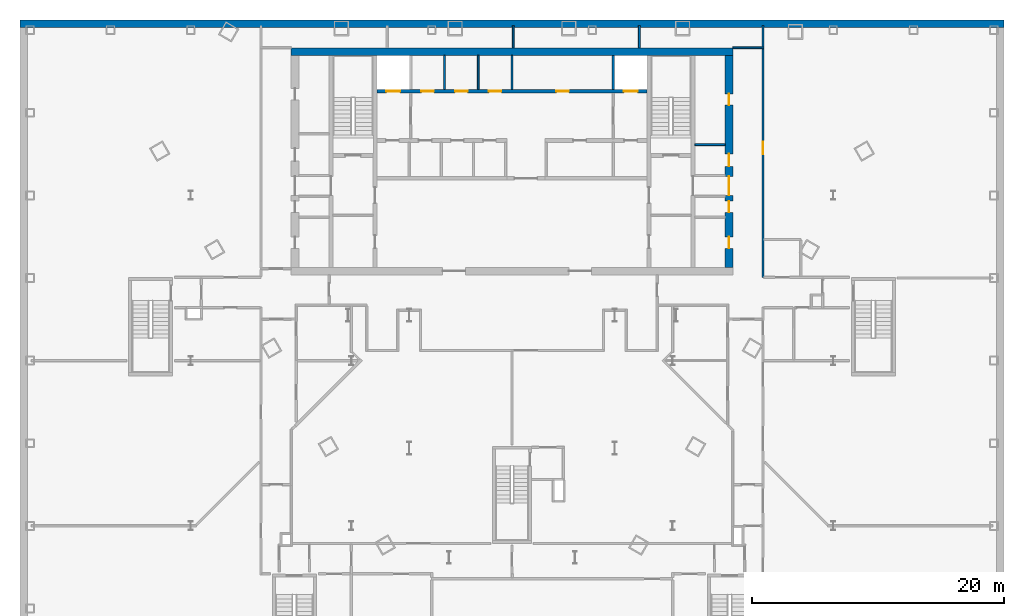
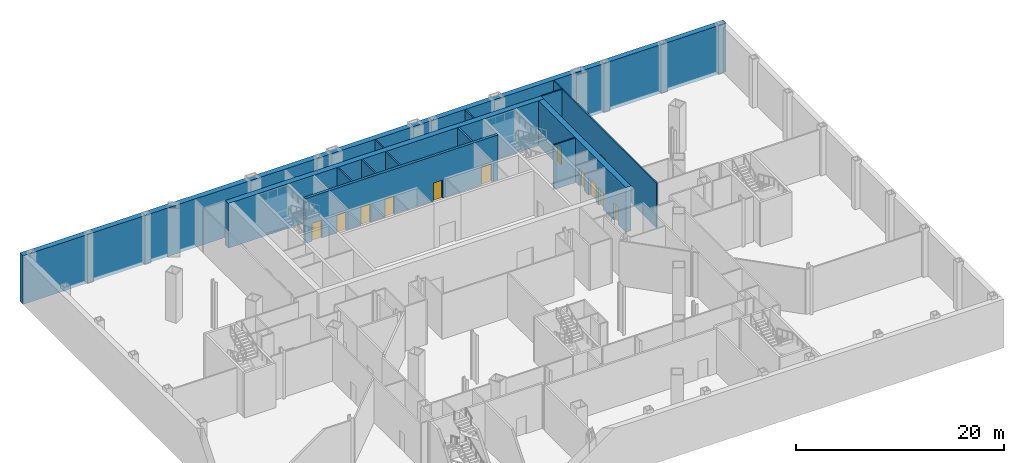
# One storey, part 10 of 17: 14 walls, 12 doors, 12 openings.
"""IFC4 building model written with IfcOpenShell, lengths in metres."""

import ifcopenshell
import ifcopenshell.guid

model = None  # the IFC model being written
_history = None  # IfcOwnerHistory: only IFC2X3 demands one
_inside = {}  # id of a spatial element -> (the spatial element, [elements in it])
_under = {}  # id of a project, library or spatial element -> (it, [spatial elements below it])
_declared = {}  # id of a project -> (the project, [libraries it declares])
_typed = {}  # id of a type object -> (the type object, [elements of that type])
_made_of = {}  # id of a material, layer set ... -> (it, [elements and type objects made of it])


def new_model(schema):
    """Start an empty IFC model of exactly this schema.

    Asked for "IFC4X3", IfcOpenShell would pick the latest addendum, in which some entities
    have other attributes; the version numbers below select the first issue.
    IFC2X3 requires an IfcOwnerHistory on every rooted entity: one is made here for all.
    """
    global model, _history
    if schema == "IFC4X3":
        model = ifcopenshell.file(schema_version=(4, 3, 0, 0))
    else:
        model = ifcopenshell.file(schema=schema)
    _inside.clear()
    _under.clear()
    _declared.clear()
    _typed.clear()
    _made_of.clear()
    _history = None
    if model.schema == "IFC2X3":
        org = make("IfcOrganization", Name="unknown")
        user = make(
            "IfcPersonAndOrganization",
            ThePerson=make("IfcPerson", FamilyName="unknown"),
            TheOrganization=org,
        )
        app = make(
            "IfcApplication",
            ApplicationDeveloper=org,
            Version="unknown",
            ApplicationFullName="unknown",
            ApplicationIdentifier="unknown",
        )
        _history = make(
            "IfcOwnerHistory",
            OwningUser=user,
            OwningApplication=app,
            ChangeAction="ADDED",
            CreationDate=0,
        )
    return model


def make(cls, **values):
    """One entity of the class cls with the attributes given. An attribute that is None is left unset."""
    return model.create_entity(
        cls, **{name: value for name, value in values.items() if value is not None}
    )


def rooted(cls, **values):
    """An entity with a GlobalId (a new one), such as an element, a storey or a relation."""
    return make(cls, GlobalId=ifcopenshell.guid.new(), OwnerHistory=_history, **values)


def si_unit(unit_type, name, prefix=None):
    """IfcSIUnit, for example si_unit("LENGTHUNIT", "METRE", prefix="MILLI")."""
    return make("IfcSIUnit", UnitType=unit_type, Prefix=prefix, Name=name)


def assignment(units):
    """IfcUnitAssignment: the units of a project."""
    return None if units is None else make("IfcUnitAssignment", Units=units)


def point(xyz):
    """IfcCartesianPoint."""
    return None if xyz is None else make("IfcCartesianPoint", Coordinates=xyz)


def direction(xyz):
    """IfcDirection."""
    return None if xyz is None else make("IfcDirection", DirectionRatios=xyz)


def frame(location, z_axis=None, x_axis=None):
    """IfcAxis2Placement3D, a coordinate frame: its origin and axes. An axis left out is left unset."""
    return make(
        "IfcAxis2Placement3D",
        Location=point(location),
        Axis=direction(z_axis),
        RefDirection=direction(x_axis),
    )


def frame_2d(location, x_axis=None):
    """IfcAxis2Placement2D, a coordinate frame in the plane: its origin and x axis."""
    return make(
        "IfcAxis2Placement2D", Location=point(location), RefDirection=direction(x_axis)
    )


def origin():
    """The frame at (0, 0, 0) with its axes left unset."""
    return frame((0.0, 0.0, 0.0))


def place(relative_to, where):
    """IfcLocalPlacement: puts the frame where relative to a parent placement (None: the world)."""
    return make(
        "IfcLocalPlacement", PlacementRelTo=relative_to, RelativePlacement=where
    )


def context(
    kind, dimensions, precision=None, world=None, true_north=None, identifier=None
):
    """IfcGeometricRepresentationContext, for example the 3D "Model" context."""
    return make(
        "IfcGeometricRepresentationContext",
        ContextIdentifier=identifier,
        ContextType=kind,
        CoordinateSpaceDimension=dimensions,
        Precision=precision,
        WorldCoordinateSystem=world,
        TrueNorth=true_north,
    )


def subcontext(parent, identifier, kind, view, scale=None):
    """IfcGeometricRepresentationSubContext, for example "Body" below "Model"."""
    return make(
        "IfcGeometricRepresentationSubContext",
        ContextIdentifier=identifier,
        ContextType=kind,
        ParentContext=parent,
        TargetScale=scale,
        TargetView=view,
    )


def project(units=None, contexts=None):
    """IfcProject with its units and contexts."""
    return rooted(
        "IfcProject",
        Name="project",
        RepresentationContexts=contexts,
        UnitsInContext=assignment(units),
    )


def spatial(cls, under=None, at=None, **own):
    """A site, building, storey or space (cls), placed at a placement, below another one or the project."""
    s = rooted(cls, ObjectPlacement=at, **own)
    if under is not None:
        _under.setdefault(under.id(), (under, []))[1].append(s)
    return s


def profile(cls, at=None, kind="AREA", **sizes):
    """A parametric profile (cls). Its sizes go by their IFC names, for example OverallWidth=200.0."""
    return make(cls, ProfileType=kind, Position=at, **sizes)


def rectangle(**sizes):
    """IfcRectangleProfileDef."""
    return profile("IfcRectangleProfileDef", **sizes)


def extrude(swept, where, along, depth):
    """IfcExtrudedAreaSolid: the profile swept, set in the frame where, extruded along a direction by depth."""
    return make(
        "IfcExtrudedAreaSolid",
        SweptArea=swept,
        Position=where,
        ExtrudedDirection=direction(along),
        Depth=depth,
    )


def shape(context_of_items, identifier, shape_type, items):
    """IfcShapeRepresentation: the items that make up one representation, for example the "Body"."""
    return make(
        "IfcShapeRepresentation",
        ContextOfItems=context_of_items,
        RepresentationIdentifier=identifier,
        RepresentationType=shape_type,
        Items=items,
    )


def material(Name=None, Category=None):
    """IfcMaterial."""
    return make("IfcMaterial", Name=Name, Category=Category)


def layer(
    of_material, thickness, ventilated=None, Name=None, Category=None, Priority=None
):
    """IfcMaterialLayer: one layer of a wall or slab, of a material (None: an air gap)."""
    return make(
        "IfcMaterialLayer",
        Material=of_material,
        LayerThickness=thickness,
        IsVentilated=ventilated,
        Name=Name,
        Category=Category,
        Priority=Priority,
    )


def layer_set(layers, Name=None):
    """IfcMaterialLayerSet."""
    return make("IfcMaterialLayerSet", MaterialLayers=layers, LayerSetName=Name)


def made_of(thing, what):
    """Note that an element or type object is made of a material, layer set ...; save() writes the relation."""
    if what is not None:
        _made_of.setdefault(what.id(), (what, []))[1].append(thing)
    return thing


def type_object(cls, material=None, **own):
    """A type object (cls), such as IfcWallType, which elements share."""
    return made_of(rooted(cls, **own), material)


def element(
    cls,
    number,
    at=None,
    inside=None,
    cuts=None,
    type_object=None,
    material=None,
    context=None,
    identifier="Body",
    shape_type=None,
    held_by="IfcProductDefinitionShape",
    body=None,
    shapes=None,
    **own,
):
    """One element of the class cls, such as IfcWall. Its Tag is "e" and its number.

    at: its placement. inside: the storey or other place that contains it. cuts: it is an
    opening in that element (IfcRelVoidsElement). A single representation is given by context,
    identifier, shape_type and body (its items); several are given by shapes. held_by: the class
    of the entity that holds the representations. save() writes the other relations.
    """
    e = rooted(cls, Tag="e%d" % number, ObjectPlacement=at, **own)
    if body is not None:
        shapes = [shape(context, identifier, shape_type, body)]
    if shapes is not None:
        e.Representation = make(held_by, Representations=shapes)
    if inside is not None:
        _inside.setdefault(inside.id(), (inside, []))[1].append(e)
    if cuts is not None:
        rooted(
            "IfcRelVoidsElement", RelatingBuildingElement=cuts, RelatedOpeningElement=e
        )
    if type_object is not None:
        _typed.setdefault(type_object.id(), (type_object, []))[1].append(e)
    return made_of(e, material)


def fill(opening, filler):
    """IfcRelFillsElement: the door or window that sits in an opening."""
    return rooted(
        "IfcRelFillsElement",
        RelatingOpeningElement=opening,
        RelatedBuildingElement=filler,
    )


def aggregate(whole, parts):
    """IfcRelAggregates: a whole, such as a stair, and the parts it consists of."""
    return rooted("IfcRelAggregates", RelatingObject=whole, RelatedObjects=parts)


def save(model, path):
    """Write the relations noted so far, then the file.

    IfcRelAggregates (storeys below a building ...), IfcRelContainedInSpatialStructure (elements
    in a storey), IfcRelDefinesByType, IfcRelAssociatesMaterial and IfcRelDeclares: one each for
    every whole, place, type object, material and project.
    """
    for whole, parts in _under.values():
        aggregate(whole, parts)
    for where, things in _inside.values():
        rooted(
            "IfcRelContainedInSpatialStructure",
            RelatedElements=things,
            RelatingStructure=where,
        )
    for kind, things in _typed.values():
        rooted("IfcRelDefinesByType", RelatedObjects=things, RelatingType=kind)
    for what, things in _made_of.values():
        rooted("IfcRelAssociatesMaterial", RelatedObjects=things, RelatingMaterial=what)
    for by, libraries in _declared.values():
        rooted("IfcRelDeclares", RelatingContext=by, RelatedDefinitions=libraries)
    model.write(path)


model = new_model("IFC4")

# Units and contexts
model_context = context("Model", 3, precision=1e-05, world=origin(), true_north=direction((0.0, 1.0)))
body_context = subcontext(model_context, "Body", "Model", "MODEL_VIEW")
ifc_project = project(units=[si_unit("LENGTHUNIT", "METRE"), si_unit("AREAUNIT", "SQUARE_METRE"), si_unit("VOLUMEUNIT", "CUBIC_METRE"), si_unit("PLANEANGLEUNIT", "RADIAN"), si_unit("MASSUNIT", "GRAM", prefix="KILO")], contexts=[model_context])

# Site, building, storey
site_placement = place(None, origin())
site = spatial("IfcSite", under=ifc_project, at=site_placement, CompositionType="ELEMENT")
building_placement = place(site_placement, origin())
building = spatial("IfcBuilding", under=site, at=building_placement, Name="Njiva Tower", CompositionType="ELEMENT")
storey_placement = place(building_placement, frame((0.0, 0.0, -11.4)))
storey = spatial("IfcBuildingStorey", under=building, at=storey_placement, Name="B2", CompositionType="ELEMENT", Elevation=-11.4)

# Walls
ifc_material_1 = material(Name="Blockwork", Category="masonry")
ifc_layer_1 = layer(ifc_material_1, 0.15)
ifc_layer_set_1 = layer_set([ifc_layer_1], Name="Blockwork")
wall_type_1 = type_object("IfcWallType", Name="WT1 Compartment partition 150", PredefinedType="PARTITIONING", material=ifc_layer_set_1)
for number, where, z_axis, x_axis, name in (
    (1, (-5.35, 14.7, 0.0), (0.0, 0.0, 1.0), (0.0, 1.0, 0.0), "Partition CN2"),
    (2, (-2.675, 14.7, 0.0), (0.0, 0.0, 1.0), (0.0, 1.0, 0.0), "Partition CN3"),
    (3, (0.0, 14.7, 0.0), (0.0, 0.0, 1.0), (0.0, 1.0, 0.0), "Partition CN4"),
):
    element("IfcWall", number, at=place(storey_placement, frame(where, z_axis=z_axis, x_axis=x_axis)), inside=storey, type_object=wall_type_1, Name=name, PredefinedType="PARTITIONING", context=body_context, shape_type="SweptSolid", body=[
        extrude(rectangle(XDim=2.7, YDim=0.15, at=frame_2d((1.35, 0.0))), origin(), (0.0, 0.0, 1.0), 5.25),
    ])
wall_1_placement = place(storey_placement, frame((14.5, 10.3166, 0.0), z_axis=(0.0, 0.0, 1.0), x_axis=(1.0, 0.0, 0.0)))
element("IfcWall", 4, at=wall_1_placement, inside=storey, type_object=wall_type_1, Name="Partition strip E10", PredefinedType="PARTITIONING", context=body_context, shape_type="SweptSolid", body=[
    extrude(rectangle(XDim=2.4, YDim=0.15, at=frame_2d((1.2, 0.0))), origin(), (0.0, 0.0, 1.0), 5.25),
])
ifc_material_2 = material(Name="Concrete C60/75", Category="concrete")
ifc_layer_2 = layer(ifc_material_2, 0.6)
ifc_layer_set_2 = layer_set([ifc_layer_2], Name="Concrete C60/75")
wall_type_2 = type_object("IfcWallType", Name="WT15 Core wall 600", PredefinedType="SHEAR", material=ifc_layer_set_2)
wall_2_placement = place(storey_placement, frame((-17.5, 17.7, 0.0), z_axis=(0.0, 0.0, 1.0), x_axis=(1.0, 0.0, 0.0)))
element("IfcWall", 5, at=wall_2_placement, inside=storey, type_object=wall_type_2, Name="Core wall north", PredefinedType="SHEAR", context=body_context, shape_type="SweptSolid", body=[
    extrude(rectangle(XDim=35.0, YDim=0.6, at=frame_2d((17.5, 0.0))), origin(), (0.0, 0.0, 1.0), 5.25),
])

# Wall, openings, doors
wall_3_placement = place(storey_placement, frame((17.2, 0.6, 0.0), z_axis=(0.0, 0.0, 1.0), x_axis=(0.0, 1.0, 0.0)))
wall_3 = element("IfcWall", 6, at=wall_3_placement, inside=storey, type_object=wall_type_2, Name="Core wall east", PredefinedType="SHEAR", context=body_context, shape_type="SweptSolid", body=[
    extrude(rectangle(XDim=16.8, YDim=0.6, at=frame_2d((8.4, 0.0))), origin(), (0.0, 0.0, 1.0), 5.25),
])
opening_1_placement = place(wall_3_placement, frame((5.7, 0.0, 0.0)))
opening_1 = element("IfcOpeningElement", 7, at=opening_1_placement, cuts=wall_3, Name="Opening B2-D928", PredefinedType="OPENING", context=body_context, shape_type="SweptSolid", body=[
    extrude(rectangle(XDim=1.5, YDim=2.1, at=frame_2d((0.75, 1.05))), frame((0.0, 0.31, 0.0), z_axis=(0.0, -1.0, 0.0), x_axis=(1.0, 0.0, 0.0)), (0.0, 0.0, 1.0), 0.62),
])
opening_2_placement = place(wall_3_placement, frame((1.5, 0.0, 0.0)))
opening_2 = element("IfcOpeningElement", 8, at=opening_2_placement, cuts=wall_3, Name="Opening B2-D929", PredefinedType="OPENING", context=body_context, shape_type="SweptSolid", body=[
    extrude(rectangle(XDim=0.9, YDim=2.1, at=frame_2d((0.45, 1.05))), frame((0.0, 0.31, 0.0), z_axis=(0.0, -1.0, 0.0), x_axis=(1.0, 0.0, 0.0)), (0.0, 0.0, 1.0), 0.62),
])
opening_3_placement = place(wall_3_placement, frame((4.35, 0.0, 0.0)))
opening_3 = element("IfcOpeningElement", 9, at=opening_3_placement, cuts=wall_3, Name="Opening B2-D930", PredefinedType="OPENING", context=body_context, shape_type="SweptSolid", body=[
    extrude(rectangle(XDim=0.9, YDim=2.1, at=frame_2d((0.45, 1.05))), frame((0.0, 0.31, 0.0), z_axis=(0.0, -1.0, 0.0), x_axis=(1.0, 0.0, 0.0)), (0.0, 0.0, 1.0), 0.62),
])
opening_4_placement = place(wall_3_placement, frame((7.9958, 0.0, 0.0)))
opening_4 = element("IfcOpeningElement", 10, at=opening_4_placement, cuts=wall_3, Name="Opening B2-D931", PredefinedType="OPENING", context=body_context, shape_type="SweptSolid", body=[
    extrude(rectangle(XDim=1.0, YDim=2.1, at=frame_2d((0.5, 1.05))), frame((0.0, 0.31, 0.0), z_axis=(0.0, -1.0, 0.0), x_axis=(1.0, 0.0, 0.0)), (0.0, 0.0, 1.0), 0.62),
])
opening_5_placement = place(wall_3_placement, frame((12.8458, 0.0, 0.0)))
opening_5 = element("IfcOpeningElement", 11, at=opening_5_placement, cuts=wall_3, Name="Opening B2-D932", PredefinedType="OPENING", context=body_context, shape_type="SweptSolid", body=[
    extrude(rectangle(XDim=0.9, YDim=2.1, at=frame_2d((0.45, 1.05))), frame((0.0, 0.31, 0.0), z_axis=(0.0, -1.0, 0.0), x_axis=(1.0, 0.0, 0.0)), (0.0, 0.0, 1.0), 0.62),
])
ifc_material_3 = material(Name="Glazed steel fire door", Category="steel")
door_type_1 = type_object("IfcDoorType", Name="D10 Exit door double 1500x2100 glazed", OperationType="DOUBLE_DOOR_SINGLE_SWING", PredefinedType="DOOR", material=ifc_material_3)
door_1_placement = place(opening_1_placement, origin())
door_1 = element("IfcDoor", 12, at=door_1_placement, inside=storey, type_object=door_type_1, Name="Stair B corridor door", OperationType="DOUBLE_DOOR_SINGLE_SWING", OverallHeight=2.1, OverallWidth=1.5, PredefinedType="DOOR", context=body_context, shape_type="SweptSolid", body=[
    extrude(rectangle(XDim=1.5, YDim=2.1, at=frame_2d((0.75, 1.05))), frame((0.0, 0.025, 0.0), z_axis=(0.0, -1.0, 0.0), x_axis=(1.0, 0.0, 0.0)), (0.0, 0.0, 1.0), 0.05),
])
fill(opening_1, door_1)
ifc_material_4 = material(Name="Steel door, painted", Category="steel")
door_type_2 = type_object("IfcDoorType", Name="D4 Riser door 900x2100", OperationType="SINGLE_SWING_LEFT", PredefinedType="DOOR", material=ifc_material_4)
door_2_placement = place(opening_3_placement, origin())
door_2 = element("IfcDoor", 13, at=door_2_placement, inside=storey, type_object=door_type_2, Name="Riser door", OperationType="SINGLE_SWING_LEFT", OverallHeight=2.1, OverallWidth=0.9, PredefinedType="DOOR", context=body_context, shape_type="SweptSolid", body=[
    extrude(rectangle(XDim=0.9, YDim=2.1, at=frame_2d((0.45, 1.05))), frame((0.0, 0.025, 0.0), z_axis=(0.0, -1.0, 0.0), x_axis=(1.0, 0.0, 0.0)), (0.0, 0.0, 1.0), 0.05),
])
fill(opening_3, door_2)
door_type_3 = type_object("IfcDoorType", Name="D5 Steel door 1000x2100", OperationType="SINGLE_SWING_LEFT", PredefinedType="DOOR", material=ifc_material_4)
door_3_placement = place(opening_4_placement, origin())
door_3 = element("IfcDoor", 14, at=door_3_placement, inside=storey, type_object=door_type_3, Name="Telecoms room door", OperationType="SINGLE_SWING_LEFT", OverallHeight=2.1, OverallWidth=1.0, PredefinedType="DOOR", context=body_context, shape_type="SweptSolid", body=[
    extrude(rectangle(XDim=1.0, YDim=2.1, at=frame_2d((0.5, 1.05))), frame((0.0, 0.025, 0.0), z_axis=(0.0, -1.0, 0.0), x_axis=(1.0, 0.0, 0.0)), (0.0, 0.0, 1.0), 0.05),
])
fill(opening_4, door_3)
ifc_material_5 = material(Name="Steel fire door, painted", Category="steel")
door_type_4 = type_object("IfcDoorType", Name="D6 Fire-rated door 900x2100", OperationType="SINGLE_SWING_LEFT", PredefinedType="DOOR", material=ifc_material_5)
door_4_placement = place(opening_2_placement, origin())
door_4 = element("IfcDoor", 15, at=door_4_placement, inside=storey, type_object=door_type_4, Name="Reading room door", OperationType="SINGLE_SWING_RIGHT", OverallHeight=2.1, OverallWidth=0.9, PredefinedType="DOOR", context=body_context, shape_type="SweptSolid", body=[
    extrude(rectangle(XDim=0.9, YDim=2.1, at=frame_2d((0.45, 1.05))), frame((0.0, 0.025, 0.0), z_axis=(0.0, -1.0, 0.0), x_axis=(1.0, 0.0, 0.0)), (0.0, 0.0, 1.0), 0.05),
])
fill(opening_2, door_4)
door_5_placement = place(opening_5_placement, origin())
door_5 = element("IfcDoor", 16, at=door_5_placement, inside=storey, type_object=door_type_4, Name="Tenant centre door", OperationType="SINGLE_SWING_LEFT", OverallHeight=2.1, OverallWidth=0.9, PredefinedType="DOOR", context=body_context, shape_type="SweptSolid", body=[
    extrude(rectangle(XDim=0.9, YDim=2.1, at=frame_2d((0.45, 1.05))), frame((0.0, 0.025, 0.0), z_axis=(0.0, -1.0, 0.0), x_axis=(1.0, 0.0, 0.0)), (0.0, 0.0, 1.0), 0.05),
])
fill(opening_5, door_5)

# Wall, opening, door
ifc_material_6 = material(Name="Gypsum board on steel studs", Category="gypsum")
ifc_layer_3 = layer(ifc_material_6, 0.15)
ifc_layer_set_3 = layer_set([ifc_layer_3], Name="Gypsum board on steel studs")
wall_type_3 = type_object("IfcWallType", Name="WT21 Compartment wall 150", PredefinedType="PARTITIONING", material=ifc_layer_set_3)
wall_4_placement = place(storey_placement, frame((19.9, -0.209, 0.0), z_axis=(0.0, 0.0, 1.0), x_axis=(0.0, 1.0, 0.0)))
wall_4 = element("IfcWall", 17, at=wall_4_placement, inside=storey, type_object=wall_type_3, Name="Partition B2-P093", PredefinedType="PARTITIONING", context=body_context, shape_type="SweptSolid", body=[
    extrude(rectangle(XDim=18.134, YDim=0.15, at=frame_2d((9.067, 0.0))), origin(), (0.0, 0.0, 1.0), 5.25),
])
opening_6_placement = place(wall_4_placement, frame((9.773, 0.0, 0.0)))
opening_6 = element("IfcOpeningElement", 18, at=opening_6_placement, cuts=wall_4, Name="Opening B2-D035", PredefinedType="OPENING", context=body_context, shape_type="SweptSolid", body=[
    extrude(rectangle(XDim=1.0, YDim=2.1, at=frame_2d((0.5, 1.05))), frame((0.0, 0.085, 0.0), z_axis=(0.0, -1.0, 0.0), x_axis=(1.0, 0.0, 0.0)), (0.0, 0.0, 1.0), 0.17),
])
ifc_material_7 = material(Name="Steel fire door set", Category="steel")
door_type_5 = type_object("IfcDoorType", Name="D37 Fire door 1000x2100", OperationType="SINGLE_SWING_LEFT", PredefinedType="DOOR", material=ifc_material_7)
door_6_placement = place(opening_6_placement, origin())
door_6 = element("IfcDoor", 19, at=door_6_placement, inside=storey, type_object=door_type_5, Name="Door B2-D035", OperationType="SINGLE_SWING_RIGHT", OverallHeight=2.1, OverallWidth=1.0, PredefinedType="DOOR", context=body_context, shape_type="SweptSolid", body=[
    extrude(rectangle(XDim=1.0, YDim=2.1, at=frame_2d((0.5, 1.05))), frame((0.0, 0.025, 0.0), z_axis=(0.0, -1.0, 0.0), x_axis=(1.0, 0.0, 0.0)), (0.0, 0.0, 1.0), 0.05),
])
fill(opening_6, door_6)

# Walls
ifc_layer_4 = layer(ifc_material_6, 0.15)
ifc_layer_set_4 = layer_set([ifc_layer_4], Name="Gypsum board on steel studs")
wall_type_4 = type_object("IfcWallType", Name="WT24 Riser room wall 150", PredefinedType="PARTITIONING", material=ifc_layer_set_4)
for number, where, z_axis, x_axis, name in (
    (20, (0.1, 18.0, 0.0), (0.0, 0.0, 1.0), (0.0, 1.0, 0.0), "Partition B2-P060"),
    (21, (10.1, 18.0, 0.0), (0.0, 0.0, 1.0), (0.0, 1.0, 0.0), "Partition B2-P066"),
):
    element("IfcWall", number, at=place(storey_placement, frame(where, z_axis=z_axis, x_axis=x_axis)), inside=storey, type_object=wall_type_4, Name=name, PredefinedType="PARTITIONING", context=body_context, shape_type="SweptSolid", body=[
        extrude(rectangle(XDim=1.75, YDim=0.15, at=frame_2d((0.875, 0.0))), origin(), (0.0, 0.0, 1.0), 5.25),
    ])
wall_5_placement = place(storey_placement, frame((17.5, 18.0, 0.0), z_axis=(0.0, 0.0, 1.0), x_axis=(1.0, 0.0, 0.0)))
element("IfcWall", 22, at=wall_5_placement, inside=storey, type_object=wall_type_4, Name="Partition B2-P083", PredefinedType="PARTITIONING", context=body_context, shape_type="SweptSolid", body=[
    extrude(rectangle(XDim=2.475, YDim=0.15, at=frame_2d((1.2375, 0.0))), origin(), (0.0, 0.0, 1.0), 5.25),
])
wall_6_placement = place(storey_placement, frame((19.9, 18.075, 0.0), z_axis=(0.0, 0.0, 1.0), x_axis=(0.0, 1.0, 0.0)))
element("IfcWall", 23, at=wall_6_placement, inside=storey, type_object=wall_type_4, Name="Partition B2-P094", PredefinedType="PARTITIONING", context=body_context, shape_type="SweptSolid", body=[
    extrude(rectangle(XDim=1.675, YDim=0.15, at=frame_2d((0.8375, 0.0))), origin(), (0.0, 0.0, 1.0), 5.25),
])
ifc_material_8 = material(Name="Concrete C40/50", Category="concrete")
ifc_layer_5 = layer(ifc_material_8, 0.2)
ifc_layer_set_5 = layer_set([ifc_layer_5], Name="Concrete C40/50")
wall_type_5 = type_object("IfcWallType", Name="WT6 Lift shaft wall 200", PredefinedType="SHEAR", material=ifc_layer_set_5)
wall_7_placement = place(storey_placement, frame((8.025, 14.7, 0.0), z_axis=(0.0, 0.0, 1.0), x_axis=(0.0, 1.0, 0.0)))
element("IfcWall", 24, at=wall_7_placement, inside=storey, type_object=wall_type_5, Name="Shaft wall CN7", PredefinedType="SHEAR", context=body_context, shape_type="SweptSolid", body=[
    extrude(rectangle(XDim=2.7, YDim=0.2, at=frame_2d((1.35, 0.0))), origin(), (0.0, 0.0, 1.0), 5.25),
])

# Wall, openings, doors
ifc_layer_6 = layer(ifc_material_8, 0.3)
ifc_layer_set_6 = layer_set([ifc_layer_6], Name="Concrete C40/50")
wall_type_6 = type_object("IfcWallType", Name="WT7 Lift shaft wall 300", PredefinedType="SHEAR", material=ifc_layer_set_6)
wall_8_placement = place(storey_placement, frame((-10.7, 14.55, 0.0), z_axis=(0.0, 0.0, 1.0), x_axis=(1.0, 0.0, 0.0)))
wall_8 = element("IfcWall", 25, at=wall_8_placement, inside=storey, type_object=wall_type_6, Name="Shaft wall north row lobby side", PredefinedType="SHEAR", context=body_context, shape_type="SweptSolid", body=[
    extrude(rectangle(XDim=21.4, YDim=0.3, at=frame_2d((10.7, 0.0))), origin(), (0.0, 0.0, 1.0), 5.25),
])
opening_7_placement = place(wall_8_placement, frame((0.7375, 0.0, 0.0)))
opening_7 = element("IfcOpeningElement", 26, at=opening_7_placement, cuts=wall_8, Name="Opening B2-D901", PredefinedType="OPENING", context=body_context, shape_type="SweptSolid", body=[
    extrude(rectangle(XDim=1.1, YDim=2.1, at=frame_2d((0.55, 1.05))), frame((0.0, 0.16, 0.0), z_axis=(0.0, -1.0, 0.0), x_axis=(1.0, 0.0, 0.0)), (0.0, 0.0, 1.0), 0.32),
])
opening_8_placement = place(wall_8_placement, frame((19.5625, 0.0, 0.0)))
opening_8 = element("IfcOpeningElement", 27, at=opening_8_placement, cuts=wall_8, Name="Opening B2-D902", PredefinedType="OPENING", context=body_context, shape_type="SweptSolid", body=[
    extrude(rectangle(XDim=1.1, YDim=2.1, at=frame_2d((0.55, 1.05))), frame((0.0, 0.16, 0.0), z_axis=(0.0, -1.0, 0.0), x_axis=(1.0, 0.0, 0.0)), (0.0, 0.0, 1.0), 0.32),
])
opening_9_placement = place(wall_8_placement, frame((3.5125, 0.0, 0.0)))
opening_9 = element("IfcOpeningElement", 28, at=opening_9_placement, cuts=wall_8, Name="Opening B2-D903", PredefinedType="OPENING", context=body_context, shape_type="SweptSolid", body=[
    extrude(rectangle(XDim=1.0, YDim=2.1, at=frame_2d((0.5, 1.05))), frame((0.0, 0.16, 0.0), z_axis=(0.0, -1.0, 0.0), x_axis=(1.0, 0.0, 0.0)), (0.0, 0.0, 1.0), 0.32),
])
opening_10_placement = place(wall_8_placement, frame((6.1875, 0.0, 0.0)))
opening_10 = element("IfcOpeningElement", 29, at=opening_10_placement, cuts=wall_8, Name="Opening B2-D904", PredefinedType="OPENING", context=body_context, shape_type="SweptSolid", body=[
    extrude(rectangle(XDim=1.0, YDim=2.1, at=frame_2d((0.5, 1.05))), frame((0.0, 0.16, 0.0), z_axis=(0.0, -1.0, 0.0), x_axis=(1.0, 0.0, 0.0)), (0.0, 0.0, 1.0), 0.32),
])
opening_11_placement = place(wall_8_placement, frame((8.8625, 0.0, 0.0)))
opening_11 = element("IfcOpeningElement", 30, at=opening_11_placement, cuts=wall_8, Name="Opening B2-D905", PredefinedType="OPENING", context=body_context, shape_type="SweptSolid", body=[
    extrude(rectangle(XDim=1.0, YDim=2.1, at=frame_2d((0.5, 1.05))), frame((0.0, 0.16, 0.0), z_axis=(0.0, -1.0, 0.0), x_axis=(1.0, 0.0, 0.0)), (0.0, 0.0, 1.0), 0.32),
])
opening_12_placement = place(wall_8_placement, frame((14.2125, 0.0, 0.0)))
opening_12 = element("IfcOpeningElement", 31, at=opening_12_placement, cuts=wall_8, Name="Opening B2-D906", PredefinedType="OPENING", context=body_context, shape_type="SweptSolid", body=[
    extrude(rectangle(XDim=1.0, YDim=2.1, at=frame_2d((0.5, 1.05))), frame((0.0, 0.16, 0.0), z_axis=(0.0, -1.0, 0.0), x_axis=(1.0, 0.0, 0.0)), (0.0, 0.0, 1.0), 0.32),
])
door_7_placement = place(opening_9_placement, origin())
door_7 = element("IfcDoor", 32, at=door_7_placement, inside=storey, type_object=door_type_3, Name="Telecoms room door", OperationType="SINGLE_SWING_RIGHT", OverallHeight=2.1, OverallWidth=1.0, PredefinedType="DOOR", context=body_context, shape_type="SweptSolid", body=[
    extrude(rectangle(XDim=1.0, YDim=2.1, at=frame_2d((0.5, 1.05))), frame((0.0, 0.025, 0.0), z_axis=(0.0, -1.0, 0.0), x_axis=(1.0, 0.0, 0.0)), (0.0, 0.0, 1.0), 0.05),
])
fill(opening_9, door_7)
door_8_placement = place(opening_10_placement, origin())
door_8 = element("IfcDoor", 33, at=door_8_placement, inside=storey, type_object=door_type_3, Name="Mechanical room door", OperationType="SINGLE_SWING_RIGHT", OverallHeight=2.1, OverallWidth=1.0, PredefinedType="DOOR", context=body_context, shape_type="SweptSolid", body=[
    extrude(rectangle(XDim=1.0, YDim=2.1, at=frame_2d((0.5, 1.05))), frame((0.0, 0.025, 0.0), z_axis=(0.0, -1.0, 0.0), x_axis=(1.0, 0.0, 0.0)), (0.0, 0.0, 1.0), 0.05),
])
fill(opening_10, door_8)
door_9_placement = place(opening_11_placement, origin())
door_9 = element("IfcDoor", 34, at=door_9_placement, inside=storey, type_object=door_type_3, Name="Pump room door", OperationType="SINGLE_SWING_RIGHT", OverallHeight=2.1, OverallWidth=1.0, PredefinedType="DOOR", context=body_context, shape_type="SweptSolid", body=[
    extrude(rectangle(XDim=1.0, YDim=2.1, at=frame_2d((0.5, 1.05))), frame((0.0, 0.025, 0.0), z_axis=(0.0, -1.0, 0.0), x_axis=(1.0, 0.0, 0.0)), (0.0, 0.0, 1.0), 0.05),
])
fill(opening_11, door_9)
door_10_placement = place(opening_12_placement, origin())
door_10 = element("IfcDoor", 35, at=door_10_placement, inside=storey, type_object=door_type_3, Name="Ventilation plant room door", OperationType="SINGLE_SWING_LEFT", OverallHeight=2.1, OverallWidth=1.0, PredefinedType="DOOR", context=body_context, shape_type="SweptSolid", body=[
    extrude(rectangle(XDim=1.0, YDim=2.1, at=frame_2d((0.5, 1.05))), frame((0.0, 0.025, 0.0), z_axis=(0.0, -1.0, 0.0), x_axis=(1.0, 0.0, 0.0)), (0.0, 0.0, 1.0), 0.05),
])
fill(opening_12, door_10)
ifc_material_9 = material(Name="Stainless steel sliding door", Category="steel")
door_type_6 = type_object("IfcDoorType", Name="LD Lift landing door 1100x2100", OperationType="SLIDING_TO_LEFT", PredefinedType="DOOR", material=ifc_material_9)
door_11_placement = place(opening_7_placement, origin())
door_11 = element("IfcDoor", 36, at=door_11_placement, inside=storey, type_object=door_type_6, Name="Lift landing door FF1", OperationType="SLIDING_TO_LEFT", OverallHeight=2.1, OverallWidth=1.1, PredefinedType="DOOR", context=body_context, shape_type="SweptSolid", body=[
    extrude(rectangle(XDim=1.1, YDim=2.1, at=frame_2d((0.55, 1.05))), frame((0.0, 0.025, 0.0), z_axis=(0.0, -1.0, 0.0), x_axis=(1.0, 0.0, 0.0)), (0.0, 0.0, 1.0), 0.05),
])
fill(opening_7, door_11)
door_12_placement = place(opening_8_placement, origin())
door_12 = element("IfcDoor", 37, at=door_12_placement, inside=storey, type_object=door_type_6, Name="Lift landing door FF2", OperationType="SLIDING_TO_LEFT", OverallHeight=2.1, OverallWidth=1.1, PredefinedType="DOOR", context=body_context, shape_type="SweptSolid", body=[
    extrude(rectangle(XDim=1.1, YDim=2.1, at=frame_2d((0.55, 1.05))), frame((0.0, 0.025, 0.0), z_axis=(0.0, -1.0, 0.0), x_axis=(1.0, 0.0, 0.0)), (0.0, 0.0, 1.0), 0.05),
])
fill(opening_8, door_12)

# Wall
ifc_layer_7 = layer(ifc_material_8, 0.6)
ifc_layer_set_7 = layer_set([ifc_layer_7], Name="Concrete C40/50")
wall_type_7 = type_object("IfcWallType", Name="WT93 Basement retaining wall 600", PredefinedType="STANDARD", material=ifc_layer_set_7)
wall_9_placement = place(storey_placement, frame((-39.0, 19.9, -0.4), z_axis=(0.0, 0.0, 1.0), x_axis=(1.0, 0.0, 0.0)))
element("IfcWall", 38, at=wall_9_placement, inside=storey, type_object=wall_type_7, Name="Basement retaining wall", PredefinedType="STANDARD", context=body_context, shape_type="SweptSolid", body=[
    extrude(rectangle(XDim=78.0, YDim=0.6, at=frame_2d((39.0, 0.0))), origin(), (0.0, 0.0, 1.0), 5.7),
])

save(model, "model.ifc")
